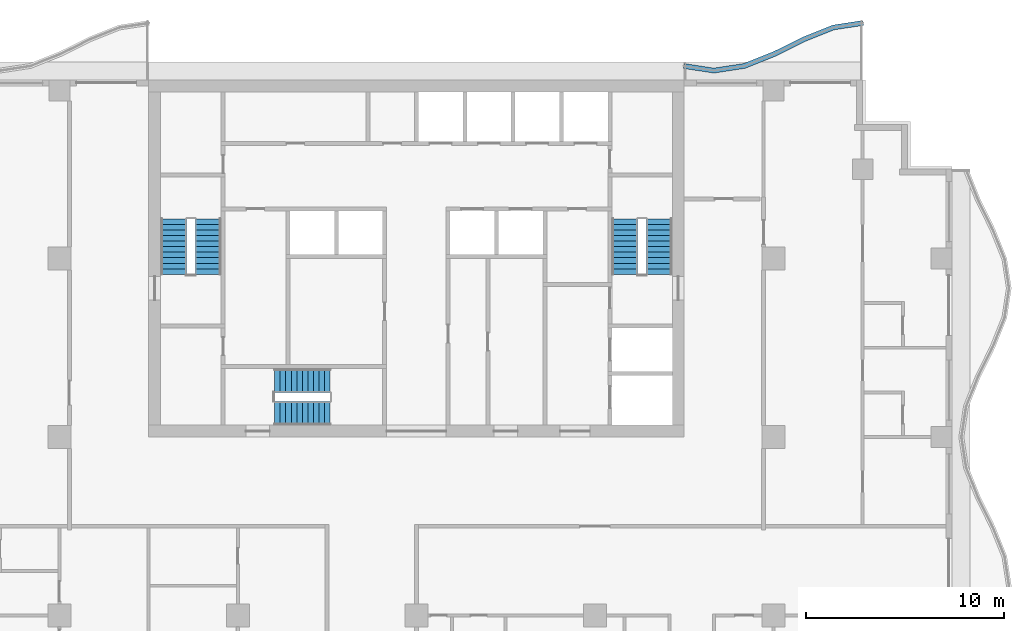
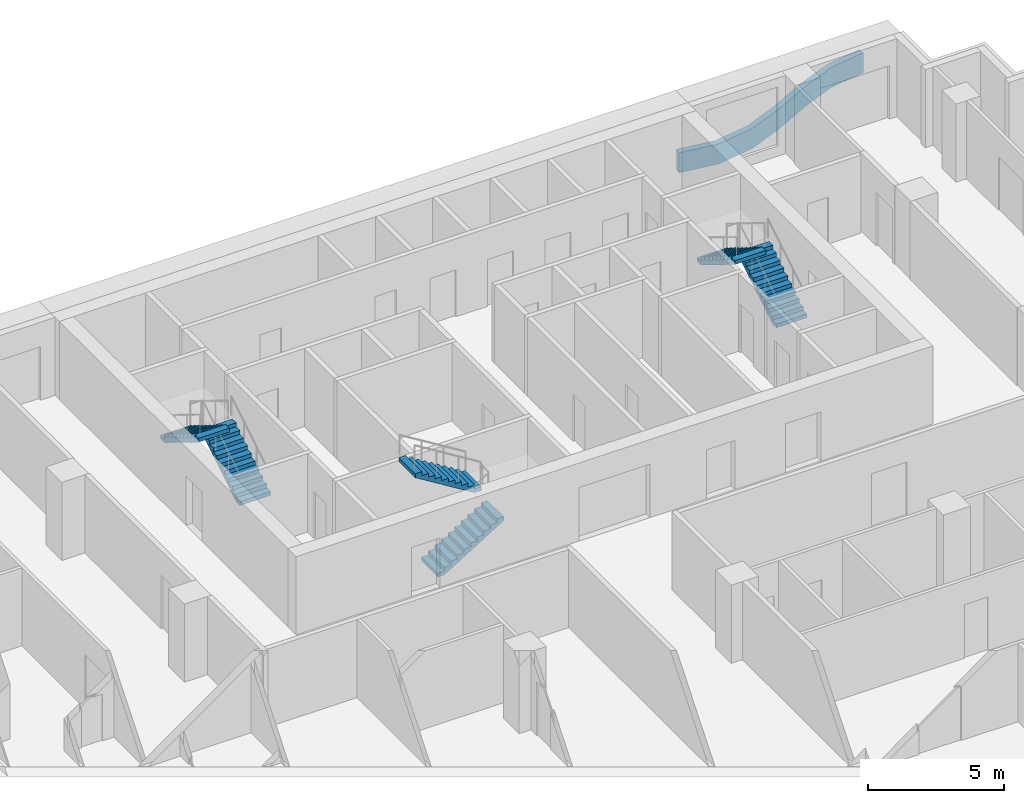
# One storey, part 7 of 11: 6 stair flights, 1 wall, 3 elements without a shape of their own.
"""IFC4 building model written with IfcOpenShell, lengths in metres."""

from ifc_helpers import new_model, si_unit, direction, frame, origin, place, context, subcontext, project, spatial, polyline, outline, extrude, material, layer, layer_set, type_object, element, aggregate, save


model = new_model("IFC4")

# Units and contexts
model_context = context("Model", 3, precision=1e-05, world=origin(), true_north=direction((0.0, 1.0)))
body_context = subcontext(model_context, "Body", "Model", "MODEL_VIEW")
ifc_project = project(units=[si_unit("LENGTHUNIT", "METRE"), si_unit("AREAUNIT", "SQUARE_METRE"), si_unit("VOLUMEUNIT", "CUBIC_METRE"), si_unit("PLANEANGLEUNIT", "RADIAN"), si_unit("MASSUNIT", "GRAM", prefix="KILO")], contexts=[model_context])

# Site, building, storey
site_placement = place(None, origin())
site = spatial("IfcSite", under=ifc_project, at=site_placement, CompositionType="ELEMENT")
building_placement = place(site_placement, origin())
building = spatial("IfcBuilding", under=site, at=building_placement, Name="Orbiselva Terraces", CompositionType="ELEMENT")
storey_placement = place(building_placement, frame((0.0, 0.0, 188.2)))
storey = spatial("IfcBuildingStorey", under=building, at=storey_placement, Name="L47", CompositionType="ELEMENT", Elevation=188.2)

# Wall
ifc_material = material(Name="Concrete C40/50", Category="concrete")
ifc_layer = layer(ifc_material, 0.25)
ifc_layer_set = layer_set([ifc_layer], Name="Concrete C40/50")
wall_type = type_object("IfcWallType", Name="ENV-PLANTER-250x900", PredefinedType="USERDEFINED", material=ifc_layer_set)
wall_placement = place(storey_placement, origin())
element("IfcWall", 1, at=wall_placement, inside=storey, type_object=wall_type, Name="Balcony planter L47 NE", ObjectType="PLANTER", PredefinedType="USERDEFINED", context=body_context, shape_type="SweptSolid", body=[
    extrude(outline(polyline([(22.5, 25.5), (21.0, 25.27082), (19.5, 24.67082), (18.0, 23.92918), (16.5, 23.32918), (15.0, 23.1), (13.5, 23.32918), (13.462242, 23.082048), (15.0, 22.847099), (16.566166, 23.086388), (18.101983, 23.700715), (19.601983, 24.442355), (21.066166, 25.028028), (22.537758, 25.252868), (22.5, 25.5)])), origin(), (0.0, 0.0, 1.0), 0.9),
])

# Stair, stair flights
stair_type_1 = type_object("IfcStairType", Name="CORE-STAIR-1200", PredefinedType="HALF_TURN_STAIR", material=ifc_material)
stair_1_placement = place(storey_placement, origin())
stair_1 = element("IfcStair", 2, at=stair_1_placement, inside=storey, type_object=stair_type_1, Name="L47 Exit Stair S3", PredefinedType="HALF_TURN_STAIR")
stair_flight_type_1 = type_object("IfcStairFlightType", Name="CORE-STAIR-FLIGHT-1200", PredefinedType="STRAIGHT", material=ifc_material)
stair_flight_1_placement = place(storey_placement, frame((-7.15, 5.7, 0.0), z_axis=(0.0, 0.0, 1.0), x_axis=(1.0, 0.0, 0.0)))
stair_flight_1 = element("IfcStairFlight", 3, at=stair_flight_1_placement, type_object=stair_flight_type_1, Name="S3 flight 1", NumberOfRisers=11, NumberOfTreads=10, PredefinedType="STRAIGHT", RiserHeight=0.172727273, TreadLength=0.28, context=body_context, shape_type="SweptSolid", body=[
    extrude(outline(polyline([(0.0, 0.0), (0.0, 0.172727), (0.28, 0.172727), (0.28, 0.345455), (0.56, 0.345455), (0.56, 0.518182), (0.84, 0.518182), (0.84, 0.690909), (1.12, 0.690909), (1.12, 0.863636), (1.4, 0.863636), (1.4, 1.036364), (1.68, 1.036364), (1.68, 1.209091), (1.96, 1.209091), (1.96, 1.381818), (2.24, 1.381818), (2.24, 1.554545), (2.52, 1.554545), (2.52, 1.727273), (2.8, 1.727273), (2.8, 1.9), (2.8, 1.551028), (0.285702, 0.0), (0.0, 0.0)])), frame((0.0, 0.6, 0.0), z_axis=(0.0, -1.0, 0.0), x_axis=(1.0, 0.0, 0.0)), (0.0, 0.0, 1.0), 1.2),
])
stair_flight_2_placement = place(storey_placement, frame((-4.35, 7.35, 1.9), z_axis=(0.0, 0.0, 1.0), x_axis=(-1.0, 0.0, 0.0)))
stair_flight_2 = element("IfcStairFlight", 4, at=stair_flight_2_placement, type_object=stair_flight_type_1, Name="S3 flight 2", NumberOfRisers=11, NumberOfTreads=10, PredefinedType="STRAIGHT", RiserHeight=0.172727273, TreadLength=0.28, context=body_context, shape_type="SweptSolid", body=[
    extrude(outline(polyline([(0.0, 0.0), (0.0, 0.172727), (0.28, 0.172727), (0.28, 0.345455), (0.56, 0.345455), (0.56, 0.518182), (0.84, 0.518182), (0.84, 0.690909), (1.12, 0.690909), (1.12, 0.863636), (1.4, 0.863636), (1.4, 1.036364), (1.68, 1.036364), (1.68, 1.209091), (1.96, 1.209091), (1.96, 1.381818), (2.24, 1.381818), (2.24, 1.554545), (2.52, 1.554545), (2.52, 1.727273), (2.8, 1.727273), (2.8, 1.9), (2.8, 1.551028), (0.285702, 0.0), (0.0, 0.0)])), frame((0.0, 0.6, 0.0), z_axis=(0.0, -1.0, 0.0), x_axis=(1.0, 0.0, 0.0)), (0.0, 0.0, 1.0), 1.2),
])
aggregate(stair_1, [stair_flight_1, stair_flight_2])

stair_type_2 = type_object("IfcStairType", Name="CORE-STAIR-1300", PredefinedType="HALF_TURN_STAIR", material=ifc_material)
stair_2_placement = place(storey_placement, origin())
stair_2 = element("IfcStair", 5, at=stair_2_placement, inside=storey, type_object=stair_type_2, Name="L47 Exit Stair S1", PredefinedType="HALF_TURN_STAIR")
stair_flight_type_2 = type_object("IfcStairFlightType", Name="CORE-STAIR-FLIGHT-1300", PredefinedType="STRAIGHT", material=ifc_material)
stair_flight_3_placement = place(storey_placement, frame((-10.5, 12.7, 0.0), z_axis=(0.0, 0.0, 1.0), x_axis=(0.0, 1.0, 0.0)))
stair_flight_3 = element("IfcStairFlight", 6, at=stair_flight_3_placement, type_object=stair_flight_type_2, Name="S1 flight 1", NumberOfRisers=11, NumberOfTreads=10, PredefinedType="STRAIGHT", RiserHeight=0.172727273, TreadLength=0.28, context=body_context, shape_type="SweptSolid", body=[
    extrude(outline(polyline([(0.0, 0.0), (0.0, 0.172727), (0.28, 0.172727), (0.28, 0.345455), (0.56, 0.345455), (0.56, 0.518182), (0.84, 0.518182), (0.84, 0.690909), (1.12, 0.690909), (1.12, 0.863636), (1.4, 0.863636), (1.4, 1.036364), (1.68, 1.036364), (1.68, 1.209091), (1.96, 1.209091), (1.96, 1.381818), (2.24, 1.381818), (2.24, 1.554545), (2.52, 1.554545), (2.52, 1.727273), (2.8, 1.727273), (2.8, 1.9), (2.8, 1.551028), (0.285702, 0.0), (0.0, 0.0)])), frame((0.0, 0.65, 0.0), z_axis=(0.0, -1.0, 0.0), x_axis=(1.0, 0.0, 0.0)), (0.0, 0.0, 1.0), 1.3),
])
stair_flight_4_placement = place(storey_placement, frame((-12.25, 15.5, 1.9), z_axis=(0.0, 0.0, 1.0), x_axis=(0.0, -1.0, 0.0)))
stair_flight_4 = element("IfcStairFlight", 7, at=stair_flight_4_placement, type_object=stair_flight_type_2, Name="S1 flight 2", NumberOfRisers=11, NumberOfTreads=10, PredefinedType="STRAIGHT", RiserHeight=0.172727273, TreadLength=0.28, context=body_context, shape_type="SweptSolid", body=[
    extrude(outline(polyline([(0.0, 0.0), (0.0, 0.172727), (0.28, 0.172727), (0.28, 0.345455), (0.56, 0.345455), (0.56, 0.518182), (0.84, 0.518182), (0.84, 0.690909), (1.12, 0.690909), (1.12, 0.863636), (1.4, 0.863636), (1.4, 1.036364), (1.68, 1.036364), (1.68, 1.209091), (1.96, 1.209091), (1.96, 1.381818), (2.24, 1.381818), (2.24, 1.554545), (2.52, 1.554545), (2.52, 1.727273), (2.8, 1.727273), (2.8, 1.9), (2.8, 1.551028), (0.285702, 0.0), (0.0, 0.0)])), frame((0.0, 0.65, 0.0), z_axis=(0.0, -1.0, 0.0), x_axis=(1.0, 0.0, 0.0)), (0.0, 0.0, 1.0), 1.3),
])
aggregate(stair_2, [stair_flight_3, stair_flight_4])

stair_3_placement = place(storey_placement, origin())
stair_3 = element("IfcStair", 8, at=stair_3_placement, inside=storey, type_object=stair_type_2, Name="L47 Exit Stair S2", PredefinedType="HALF_TURN_STAIR")
stair_flight_5_placement = place(storey_placement, frame((12.25, 12.7, 0.0), z_axis=(0.0, 0.0, 1.0), x_axis=(0.0, 1.0, 0.0)))
stair_flight_5 = element("IfcStairFlight", 9, at=stair_flight_5_placement, type_object=stair_flight_type_2, Name="S2 flight 1", NumberOfRisers=11, NumberOfTreads=10, PredefinedType="STRAIGHT", RiserHeight=0.172727273, TreadLength=0.28, context=body_context, shape_type="SweptSolid", body=[
    extrude(outline(polyline([(0.0, 0.0), (0.0, 0.172727), (0.28, 0.172727), (0.28, 0.345455), (0.56, 0.345455), (0.56, 0.518182), (0.84, 0.518182), (0.84, 0.690909), (1.12, 0.690909), (1.12, 0.863636), (1.4, 0.863636), (1.4, 1.036364), (1.68, 1.036364), (1.68, 1.209091), (1.96, 1.209091), (1.96, 1.381818), (2.24, 1.381818), (2.24, 1.554545), (2.52, 1.554545), (2.52, 1.727273), (2.8, 1.727273), (2.8, 1.9), (2.8, 1.551028), (0.285702, 0.0), (0.0, 0.0)])), frame((0.0, 0.65, 0.0), z_axis=(0.0, -1.0, 0.0), x_axis=(1.0, 0.0, 0.0)), (0.0, 0.0, 1.0), 1.3),
])
stair_flight_6_placement = place(storey_placement, frame((10.5, 15.5, 1.9), z_axis=(0.0, 0.0, 1.0), x_axis=(0.0, -1.0, 0.0)))
stair_flight_6 = element("IfcStairFlight", 10, at=stair_flight_6_placement, type_object=stair_flight_type_2, Name="S2 flight 2", NumberOfRisers=11, NumberOfTreads=10, PredefinedType="STRAIGHT", RiserHeight=0.172727273, TreadLength=0.28, context=body_context, shape_type="SweptSolid", body=[
    extrude(outline(polyline([(0.0, 0.0), (0.0, 0.172727), (0.28, 0.172727), (0.28, 0.345455), (0.56, 0.345455), (0.56, 0.518182), (0.84, 0.518182), (0.84, 0.690909), (1.12, 0.690909), (1.12, 0.863636), (1.4, 0.863636), (1.4, 1.036364), (1.68, 1.036364), (1.68, 1.209091), (1.96, 1.209091), (1.96, 1.381818), (2.24, 1.381818), (2.24, 1.554545), (2.52, 1.554545), (2.52, 1.727273), (2.8, 1.727273), (2.8, 1.9), (2.8, 1.551028), (0.285702, 0.0), (0.0, 0.0)])), frame((0.0, 0.65, 0.0), z_axis=(0.0, -1.0, 0.0), x_axis=(1.0, 0.0, 0.0)), (0.0, 0.0, 1.0), 1.3),
])
aggregate(stair_3, [stair_flight_5, stair_flight_6])

save(model, "model.ifc")
